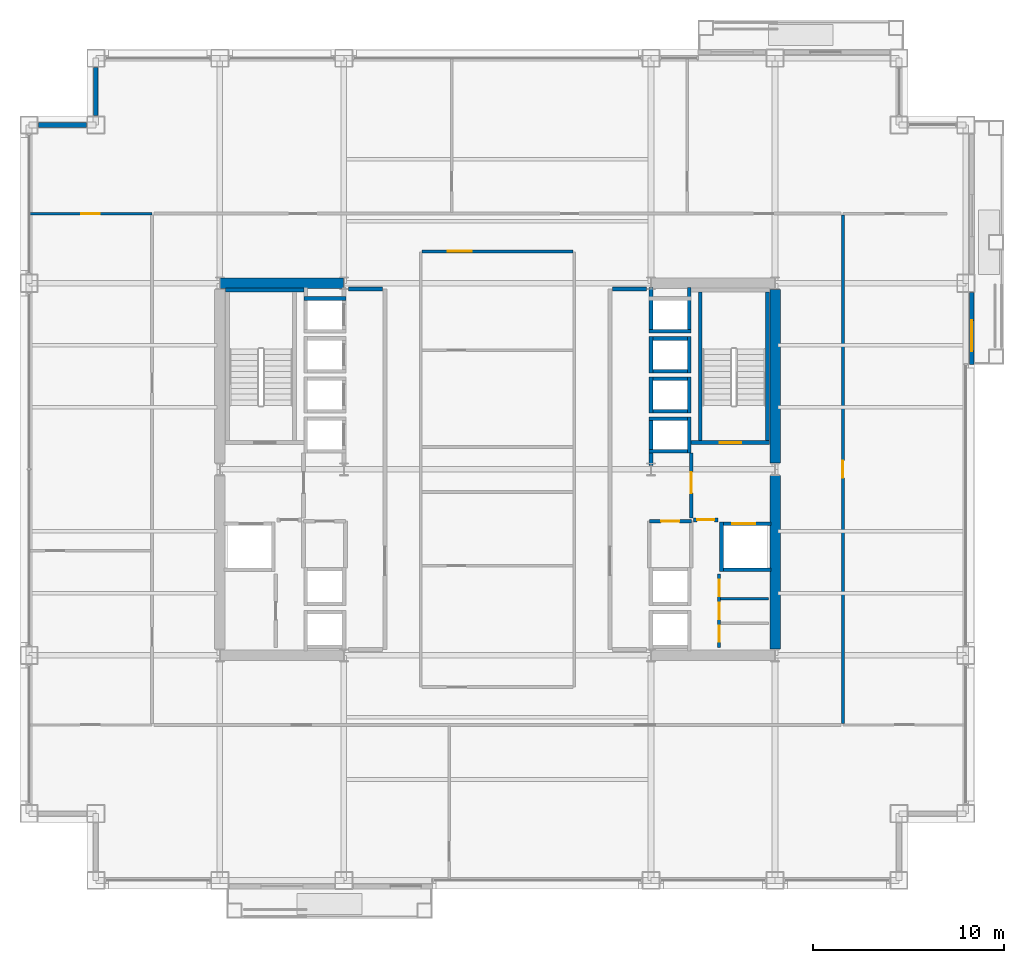
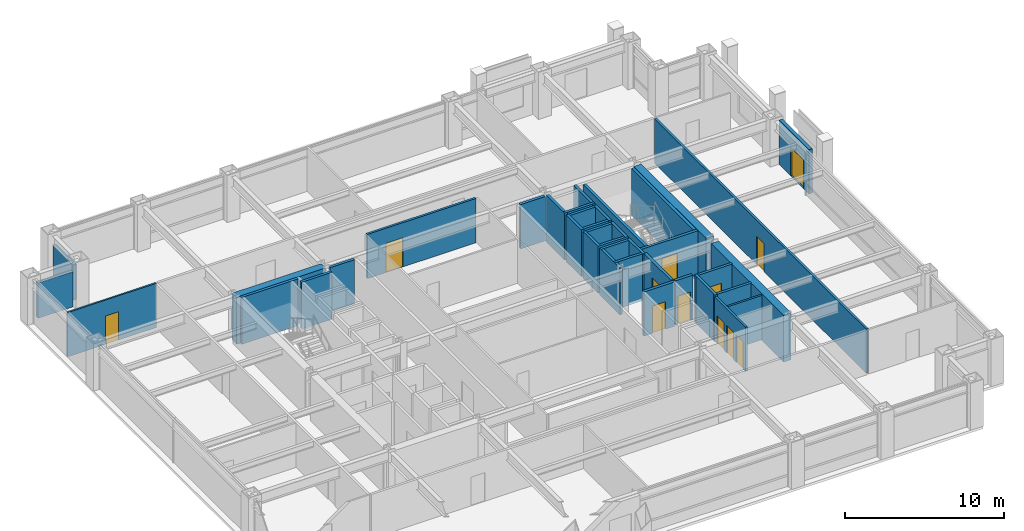
# One storey, part 27 of 31: 39 walls, 12 doors, 12 openings.
"""IFC4 building model written with IfcOpenShell, lengths in metres."""

from ifc_helpers import new_model, si_unit, direction, frame, frame_2d, origin, place, context, subcontext, project, spatial, rectangle, extrude, material, layer, layer_set, type_object, element, fill, save


model = new_model("IFC4")

# Units and contexts
model_context = context("Model", 3, precision=1e-05, world=origin(), true_north=direction((0.0, 1.0)))
body_context = subcontext(model_context, "Body", "Model", "MODEL_VIEW")
ifc_project = project(units=[si_unit("LENGTHUNIT", "METRE"), si_unit("AREAUNIT", "SQUARE_METRE"), si_unit("VOLUMEUNIT", "CUBIC_METRE"), si_unit("PLANEANGLEUNIT", "RADIAN"), si_unit("MASSUNIT", "GRAM", prefix="KILO")], contexts=[model_context])

# Site, building, storey
site_placement = place(None, origin())
site = spatial("IfcSite", under=ifc_project, at=site_placement, CompositionType="ELEMENT")
building_placement = place(site_placement, origin())
building = spatial("IfcBuilding", under=site, at=building_placement, Name="Brelmoor Portico Tower", CompositionType="ELEMENT")
storey_placement = place(building_placement, frame((0.0, 0.0, 38.39990234375)))
storey = spatial("IfcBuildingStorey", under=building, at=storey_placement, Name="L09", CompositionType="ELEMENT", Elevation=38.39990234375)

# Walls
ifc_material_1 = material(Name="Concrete C60", Category="concrete")
ifc_layer_1 = layer(ifc_material_1, 0.550048828125)
ifc_layer_set_1 = layer_set([ifc_layer_1], Name="Concrete C60")
wall_type_1 = type_object("IfcWallType", Name="WL-CORE-550", PredefinedType="SHEAR", material=ifc_layer_set_1)
wall_1_placement = place(storey_placement, frame((-14.530029296875, 9.75, -0.199951171875), z_axis=(0.0, 0.0, 1.0), x_axis=(1.0, 0.0, 0.0)))
element("IfcWall", 1, at=wall_1_placement, inside=storey, type_object=wall_type_1, Name="L09 WC North Shear Wall", PredefinedType="SHEAR", context=body_context, shape_type="SweptSolid", body=[
    extrude(rectangle(XDim=6.4599609375, YDim=0.550048828125, at=frame_2d((3.22998046875, 0.0))), origin(), (0.0, 0.0, 1.0), 3.60009765625),
])
for number, where, z_axis, x_axis, name in (
    (2, (14.550048828125, -9.425048828125, -0.199951171875), (0.0, 0.0, 1.0), (0.0, 1.0, 0.0), "L09 EC Outer South Shear Wall"),
    (3, (14.550048828125, 0.324951171875, -0.199951171875), (0.0, 0.0, 1.0), (0.0, 1.0, 0.0), "L09 EC Outer North Shear Wall"),
):
    element("IfcWall", number, at=place(storey_placement, frame(where, z_axis=z_axis, x_axis=x_axis)), inside=storey, type_object=wall_type_1, Name=name, PredefinedType="SHEAR", context=body_context, shape_type="SweptSolid", body=[
        extrude(rectangle(XDim=9.10009765625, YDim=0.550048828125, at=frame_2d((4.550048828125, 0.0))), origin(), (0.0, 0.0, 1.0), 3.60009765625),
    ])

# Wall, opening, door
ifc_material_2 = material(Name="Precast Concrete C40 Insulated Facade Wall", Category="concrete")
ifc_layer_2 = layer(ifc_material_2, 0.25)
ifc_layer_set_2 = layer_set([ifc_layer_2], Name="Precast Concrete C40 Insulated Facade Wall")
wall_type_2 = type_object("IfcWallType", Name="WL-EXT-250", PredefinedType="STANDARD", material=ifc_layer_set_2)
wall_2_placement = place(storey_placement, frame((24.860107421875, 5.5, 0.0), z_axis=(0.0, 0.0, 1.0), x_axis=(0.0, 1.0, 0.0)))
wall_2 = element("IfcWall", 4, at=wall_2_placement, inside=storey, type_object=wall_type_2, Name="L09 Loggia Threshold Wall E-1", PredefinedType="STANDARD", context=body_context, shape_type="SweptSolid", body=[
    extrude(rectangle(XDim=3.7548828125, YDim=0.25, at=frame_2d((1.87744140625, 0.0))), origin(), (0.0, 0.0, 1.0), 3.400146484375),
])
opening_1_placement = place(wall_2_placement, frame((0.699951171875, 0.0, 0.0)))
opening_1 = element("IfcOpeningElement", 5, at=opening_1_placement, cuts=wall_2, Name="Opening D-TB1", PredefinedType="OPENING", context=body_context, shape_type="SweptSolid", body=[
    extrude(rectangle(XDim=1.60009765625, YDim=2.199951171875, at=frame_2d((0.800048828125, 1.10009765625))), frame((0.0, 0.135009765625, 0.0), z_axis=(0.0, -1.0, 0.0), x_axis=(1.0, 0.0, 0.0)), (0.0, 0.0, 1.0), 0.27001953125),
])
ifc_material_3 = material(Name="Double-Leaf Thermally Broken Terrace Door", Category="aluminium")
door_type_1 = type_object("IfcDoorType", Name="DR-BALCONY-1600", OperationType="NOTDEFINED", PredefinedType="DOOR", material=ifc_material_3)
door_1_placement = place(opening_1_placement, origin())
door_1 = element("IfcDoor", 6, at=door_1_placement, inside=storey, type_object=door_type_1, Name="D-0421 L09 Tree Balcony Double Door E", OperationType="DOUBLE_DOOR_SINGLE_SWING", OverallHeight=2.199951171875, OverallWidth=1.60009765625, PredefinedType="DOOR", context=body_context, shape_type="SweptSolid", body=[
    extrude(rectangle(XDim=1.60009765625, YDim=2.199951171875, at=frame_2d((0.800048828125, 1.10009765625))), frame((0.0, 0.02490234375, 0.0), z_axis=(0.0, -1.0, 0.0), x_axis=(1.0, 0.0, 0.0)), (0.0, 0.0, 1.0), 0.050048828125),
])
fill(opening_1, door_1)

# Walls
for number, where, z_axis, x_axis, name in (
    (7, (-24.06494140625, 18.050048828125, 0.0), (0.0, 0.0, 1.0), (1.0, 0.0, 0.0), "L09 Corner Notch Facade Wall NNWH1"),
    (8, (-21.050048828125, 18.534912109375, 0.0), (0.0, 0.0, 1.0), (0.0, 1.0, 0.0), "L09 Corner Notch Facade Wall NNWV1"),
):
    element("IfcWall", number, at=place(storey_placement, frame(where, z_axis=z_axis, x_axis=x_axis)), inside=storey, type_object=wall_type_2, Name=name, PredefinedType="STANDARD", context=body_context, shape_type="SweptSolid", body=[
        extrude(rectangle(XDim=2.530029296875, YDim=0.25, at=frame_2d((1.26513671875, 0.0))), origin(), (0.0, 0.0, 1.0), 2.7001953125),
    ])

# Wall, opening, door
ifc_material_4 = material(Name="Lightweight Gypsum Office Partition", Category="gypsum")
ifc_layer_3 = layer(ifc_material_4, 0.1201171875)
ifc_layer_set_3 = layer_set([ifc_layer_3], Name="Lightweight Gypsum Office Partition")
wall_type_3 = type_object("IfcWallType", Name="WL-PART-120", PredefinedType="PARTITIONING", material=ifc_layer_set_3)
wall_3_placement = place(storey_placement, frame((-24.56005859375, 13.39990234375, 0.0), z_axis=(0.0, 0.0, 1.0), x_axis=(1.0, 0.0, 0.0)))
wall_3 = element("IfcWall", 9, at=wall_3_placement, inside=storey, type_object=wall_type_3, Name="L09 North Outer Closure WL", PredefinedType="PARTITIONING", context=body_context, shape_type="SweptSolid", body=[
    extrude(rectangle(XDim=6.4599609375, YDim=0.1201171875, at=frame_2d((3.22998046875, 0.0))), origin(), (0.0, 0.0, 1.0), 3.400146484375),
])
opening_2_placement = place(wall_3_placement, frame((2.75, 0.0, 0.0)))
opening_2 = element("IfcOpeningElement", 10, at=opening_2_placement, cuts=wall_3, Name="Opening D-IN2", PredefinedType="OPENING", context=body_context, shape_type="SweptSolid", body=[
    extrude(rectangle(XDim=0.9599609375, YDim=2.179931640625, at=frame_2d((0.47998046875, 1.08984375))), frame((0.0, 0.070068359375, 0.0), z_axis=(0.0, -1.0, 0.0), x_axis=(1.0, 0.0, 0.0)), (0.0, 0.0, 1.0), 0.14013671875),
])
ifc_material_5 = material(Name="Lacquered Timber Suite Door", Category="wood")
door_type_2 = type_object("IfcDoorType", Name="DR-INT-950", OperationType="NOTDEFINED", PredefinedType="DOOR", material=ifc_material_5)
door_2_placement = place(opening_2_placement, origin())
door_2 = element("IfcDoor", 11, at=door_2_placement, inside=storey, type_object=door_type_2, Name="D-0413 L09 WL North Corner Suite Door", OperationType="SINGLE_SWING_RIGHT", OverallHeight=2.179931640625, OverallWidth=0.9599609375, PredefinedType="DOOR", context=body_context, shape_type="SweptSolid", body=[
    extrude(rectangle(XDim=0.9599609375, YDim=2.179931640625, at=frame_2d((0.47998046875, 1.08984375))), frame((0.0, 0.02490234375, 0.0), z_axis=(0.0, -1.0, 0.0), x_axis=(1.0, 0.0, 0.0)), (0.0, 0.0, 1.0), 0.050048828125),
])
fill(opening_2, door_2)

# Wall
ifc_material_6 = material(Name="Insulated Stud Suite Partition", Category="gypsum")
ifc_layer_4 = layer(ifc_material_6, 0.139892578125)
ifc_layer_set_4 = layer_set([ifc_layer_4], Name="Insulated Stud Suite Partition")
wall_type_4 = type_object("IfcWallType", Name="WL-PART-140", PredefinedType="PARTITIONING", material=ifc_layer_set_4)
wall_4_placement = place(storey_placement, frame((11.699951171875, -6.783203125, 0.0), z_axis=(0.0, 0.0, 1.0), x_axis=(1.0, 0.0, 0.0)))
element("IfcWall", 12, at=wall_4_placement, inside=storey, type_object=wall_type_4, Name="L09 E Core WC Divider 2", PredefinedType="PARTITIONING", context=body_context, shape_type="SweptSolid", body=[
    extrude(rectangle(XDim=2.5, YDim=0.139892578125, at=frame_2d((1.25, 0.0))), origin(), (0.0, 0.0, 1.0), 3.400146484375),
])

# Wall, openings, doors
ifc_material_7 = material(Name="Twin-Frame Acoustic Partition", Category="gypsum")
ifc_layer_5 = layer(ifc_material_7, 0.159912109375)
ifc_layer_set_5 = layer_set([ifc_layer_5], Name="Twin-Frame Acoustic Partition")
wall_type_5 = type_object("IfcWallType", Name="WL-PART-160", PredefinedType="PARTITIONING", material=ifc_layer_set_5)
wall_5_placement = place(storey_placement, frame((11.6201171875, -9.35009765625, 0.0), z_axis=(0.0, 0.0, 1.0), x_axis=(0.0, 1.0, 0.0)))
wall_5 = element("IfcWall", 13, at=wall_5_placement, inside=storey, type_object=wall_type_5, Name="L09 E Core Service Front Wall", PredefinedType="PARTITIONING", context=body_context, shape_type="SweptSolid", body=[
    extrude(rectangle(XDim=3.85009765625, YDim=0.159912109375, at=frame_2d((1.925048828125, 0.0))), origin(), (0.0, 0.0, 1.0), 3.400146484375),
])
opening_3_placement = place(wall_5_placement, frame((0.300048828125, 0.0, 0.0)))
opening_3 = element("IfcOpeningElement", 14, at=opening_3_placement, cuts=wall_5, Name="Opening D-WC1", PredefinedType="OPENING", context=body_context, shape_type="SweptSolid", body=[
    extrude(rectangle(XDim=0.85009765625, YDim=2.1201171875, at=frame_2d((0.425048828125, 1.06005859375))), frame((0.0, 0.08984375, 0.0), z_axis=(0.0, -1.0, 0.0), x_axis=(1.0, 0.0, 0.0)), (0.0, 0.0, 1.0), 0.179931640625),
])
opening_4_placement = place(wall_5_placement, frame((1.5, 0.0, 0.0)))
opening_4 = element("IfcOpeningElement", 15, at=opening_4_placement, cuts=wall_5, Name="Opening D-WC1", PredefinedType="OPENING", context=body_context, shape_type="SweptSolid", body=[
    extrude(rectangle(XDim=0.85009765625, YDim=2.1201171875, at=frame_2d((0.425048828125, 1.06005859375))), frame((0.0, 0.08984375, 0.0), z_axis=(0.0, -1.0, 0.0), x_axis=(1.0, 0.0, 0.0)), (0.0, 0.0, 1.0), 0.179931640625),
])
opening_5_placement = place(wall_5_placement, frame((2.699951171875, 0.0, 0.0)))
opening_5 = element("IfcOpeningElement", 16, at=opening_5_placement, cuts=wall_5, Name="Opening D-WC1", PredefinedType="OPENING", context=body_context, shape_type="SweptSolid", body=[
    extrude(rectangle(XDim=0.85009765625, YDim=2.1201171875, at=frame_2d((0.425048828125, 1.06005859375))), frame((0.0, 0.08984375, 0.0), z_axis=(0.0, -1.0, 0.0), x_axis=(1.0, 0.0, 0.0)), (0.0, 0.0, 1.0), 0.179931640625),
])
ifc_material_8 = material(Name="Moisture-Resistant Laminate WC Door", Category="timber")
door_type_3 = type_object("IfcDoorType", Name="DR-WC-850", OperationType="NOTDEFINED", PredefinedType="DOOR", material=ifc_material_8)
door_3_placement = place(opening_3_placement, origin())
door_3 = element("IfcDoor", 17, at=door_3_placement, inside=storey, type_object=door_type_3, Name="D-0395 L09 E Male WC Door", OperationType="SINGLE_SWING_LEFT", OverallHeight=2.1201171875, OverallWidth=0.85009765625, PredefinedType="DOOR", context=body_context, shape_type="SweptSolid", body=[
    extrude(rectangle(XDim=0.85009765625, YDim=2.1201171875, at=frame_2d((0.425048828125, 1.06005859375))), frame((0.0, 0.02490234375, 0.0), z_axis=(0.0, -1.0, 0.0), x_axis=(1.0, 0.0, 0.0)), (0.0, 0.0, 1.0), 0.050048828125),
])
fill(opening_3, door_3)
door_4_placement = place(opening_4_placement, origin())
door_4 = element("IfcDoor", 18, at=door_4_placement, inside=storey, type_object=door_type_3, Name="D-0396 L09 E Female WC Door", OperationType="SINGLE_SWING_RIGHT", OverallHeight=2.1201171875, OverallWidth=0.85009765625, PredefinedType="DOOR", context=body_context, shape_type="SweptSolid", body=[
    extrude(rectangle(XDim=0.85009765625, YDim=2.1201171875, at=frame_2d((0.425048828125, 1.06005859375))), frame((0.0, 0.02490234375, 0.0), z_axis=(0.0, -1.0, 0.0), x_axis=(1.0, 0.0, 0.0)), (0.0, 0.0, 1.0), 0.050048828125),
])
fill(opening_4, door_4)
door_5_placement = place(opening_5_placement, origin())
door_5 = element("IfcDoor", 19, at=door_5_placement, inside=storey, type_object=door_type_3, Name="D-0397 L09 E Janitor Store Door", OperationType="SINGLE_SWING_LEFT", OverallHeight=2.1201171875, OverallWidth=0.85009765625, PredefinedType="DOOR", context=body_context, shape_type="SweptSolid", body=[
    extrude(rectangle(XDim=0.85009765625, YDim=2.1201171875, at=frame_2d((0.425048828125, 1.06005859375))), frame((0.0, 0.02490234375, 0.0), z_axis=(0.0, -1.0, 0.0), x_axis=(1.0, 0.0, 0.0)), (0.0, 0.0, 1.0), 0.050048828125),
])
fill(opening_5, door_5)

# Wall, opening, door
wall_6_placement = place(storey_placement, frame((-3.949951171875, 11.419921875, 0.0), z_axis=(0.0, 0.0, 1.0), x_axis=(1.0, 0.0, 0.0)))
wall_6 = element("IfcWall", 20, at=wall_6_placement, inside=storey, type_object=wall_type_5, Name="L09 Central Meeting Corridor Wall", PredefinedType="PARTITIONING", context=body_context, shape_type="SweptSolid", body=[
    extrude(rectangle(XDim=7.89990234375, YDim=0.159912109375, at=frame_2d((3.949951171875, 0.0))), origin(), (0.0, 0.0, 1.0), 3.400146484375),
])
opening_6_placement = place(wall_6_placement, frame((1.35009765625, 0.0, 0.0)))
opening_6 = element("IfcOpeningElement", 21, at=opening_6_placement, cuts=wall_6, Name="Opening D-SU1", PredefinedType="OPENING", context=body_context, shape_type="SweptSolid", body=[
    extrude(rectangle(XDim=1.239990234375, YDim=2.239990234375, at=frame_2d((0.6201171875, 1.1201171875))), frame((0.0, 0.08984375, 0.0), z_axis=(0.0, -1.0, 0.0), x_axis=(1.0, 0.0, 0.0)), (0.0, 0.0, 1.0), 0.179931640625),
])
ifc_material_9 = material(Name="Glazed Timber Executive Suite Door", Category="wood")
door_type_4 = type_object("IfcDoorType", Name="DR-SUITE-1200", OperationType="NOTDEFINED", PredefinedType="DOOR", material=ifc_material_9)
door_6_placement = place(opening_6_placement, origin())
door_6 = element("IfcDoor", 22, at=door_6_placement, inside=storey, type_object=door_type_4, Name="D-0391 L09 Client Meeting Room Door", OperationType="SINGLE_SWING_RIGHT", OverallHeight=2.239990234375, OverallWidth=1.239990234375, PredefinedType="DOOR", context=body_context, shape_type="SweptSolid", body=[
    extrude(rectangle(XDim=1.239990234375, YDim=2.239990234375, at=frame_2d((0.6201171875, 1.1201171875))), frame((0.0, 0.02490234375, 0.0), z_axis=(0.0, -1.0, 0.0), x_axis=(1.0, 0.0, 0.0)), (0.0, 0.0, 1.0), 0.050048828125),
])
fill(opening_6, door_6)

wall_7_placement = place(storey_placement, frame((18.10009765625, -13.320068359375, 0.0), z_axis=(0.0, 0.0, 1.0), x_axis=(0.0, 1.0, 0.0)))
wall_7 = element("IfcWall", 23, at=wall_7_placement, inside=storey, type_object=wall_type_5, Name="L09 E Wing Corridor Wall", PredefinedType="PARTITIONING", context=body_context, shape_type="SweptSolid", body=[
    extrude(rectangle(XDim=26.64013671875, YDim=0.159912109375, at=frame_2d((13.320068359375, 0.0))), origin(), (0.0, 0.0, 1.0), 3.400146484375),
])
opening_7_placement = place(wall_7_placement, frame((12.8701171875, 0.0, 0.0)))
opening_7 = element("IfcOpeningElement", 24, at=opening_7_placement, cuts=wall_7, Name="Opening D-IN1", PredefinedType="OPENING", context=body_context, shape_type="SweptSolid", body=[
    extrude(rectangle(XDim=0.89990234375, YDim=2.14990234375, at=frame_2d((0.449951171875, 1.074951171875))), frame((0.0, 0.08984375, 0.0), z_axis=(0.0, -1.0, 0.0), x_axis=(1.0, 0.0, 0.0)), (0.0, 0.0, 1.0), 0.179931640625),
])
door_type_5 = type_object("IfcDoorType", Name="DR-INT-900", OperationType="NOTDEFINED", PredefinedType="DOOR", material=ifc_material_5)
door_7_placement = place(opening_7_placement, origin())
door_7 = element("IfcDoor", 25, at=door_7_placement, inside=storey, type_object=door_type_5, Name="D-0424 L09 E Project Mail Room 1 Door", OperationType="SINGLE_SWING_RIGHT", OverallHeight=2.14990234375, OverallWidth=0.89990234375, PredefinedType="DOOR", context=body_context, shape_type="SweptSolid", body=[
    extrude(rectangle(XDim=0.89990234375, YDim=2.14990234375, at=frame_2d((0.449951171875, 1.074951171875))), frame((0.0, 0.02490234375, 0.0), z_axis=(0.0, -1.0, 0.0), x_axis=(1.0, 0.0, 0.0)), (0.0, 0.0, 1.0), 0.050048828125),
])
fill(opening_7, door_7)

# Walls
ifc_material_10 = material(Name="Double-Stud Gypsum Fire Partition", Category="gypsum")
ifc_layer_6 = layer(ifc_material_10, 0.199951171875)
ifc_layer_set_6 = layer_set([ifc_layer_6], Name="Double-Stud Gypsum Fire Partition")
wall_type_6 = type_object("IfcWallType", Name="WL-PART-200", PredefinedType="PARTITIONING", material=ifc_layer_set_6)
for number, where, z_axis, x_axis, name in (
    (26, (-6.02001953125, 9.449951171875, 0.0), (0.0, 0.0, 1.0), (-1.0, 0.0, 0.0), "L09 W Lift Lobby North End Wall"),
    (27, (6.02001953125, 9.449951171875, 0.0), (0.0, 0.0, 1.0), (1.0, 0.0, 0.0), "L09 E Lift Lobby North End Wall"),
):
    element("IfcWall", number, at=place(storey_placement, frame(where, z_axis=z_axis, x_axis=x_axis)), inside=storey, type_object=wall_type_6, Name=name, PredefinedType="PARTITIONING", context=body_context, shape_type="SweptSolid", body=[
        extrude(rectangle(XDim=1.800048828125, YDim=0.199951171875, at=frame_2d((0.89990234375, 0.0))), origin(), (0.0, 0.0, 1.0), 3.400146484375),
    ])

# Wall, opening, door
wall_8_placement = place(storey_placement, frame((10.159912109375, -2.550048828125, 0.0), z_axis=(0.0, 0.0, 1.0), x_axis=(0.0, 1.0, 0.0)))
wall_8 = element("IfcWall", 28, at=wall_8_placement, inside=storey, type_object=wall_type_6, Name="L09 E Firefighting Lobby Wall", PredefinedType="PARTITIONING", context=body_context, shape_type="SweptSolid", body=[
    extrude(rectangle(XDim=3.400146484375, YDim=0.199951171875, at=frame_2d((1.7001953125, 0.0))), origin(), (0.0, 0.0, 1.0), 3.400146484375),
])
opening_8_placement = place(wall_8_placement, frame((1.300048828125, 0.0, 0.0)))
opening_8 = element("IfcOpeningElement", 29, at=opening_8_placement, cuts=wall_8, Name="Opening D-FR1", PredefinedType="OPENING", context=body_context, shape_type="SweptSolid", body=[
    extrude(rectangle(XDim=1.10009765625, YDim=2.14990234375, at=frame_2d((0.550048828125, 1.074951171875))), frame((0.0, 0.10986328125, 0.0), z_axis=(0.0, -1.0, 0.0), x_axis=(1.0, 0.0, 0.0)), (0.0, 0.0, 1.0), 0.219970703125),
])
ifc_material_11 = material(Name="Painted Galvanised Steel Fire Door", Category="steel")
door_type_6 = type_object("IfcDoorType", Name="DR-FIRE-1100", OperationType="NOTDEFINED", PredefinedType="DOOR", material=ifc_material_11)
door_8_placement = place(opening_8_placement, origin())
door_8 = element("IfcDoor", 30, at=door_8_placement, inside=storey, type_object=door_type_6, Name="D-0403 L09 E Firefighting Lobby Door", OperationType="SINGLE_SWING_RIGHT", OverallHeight=2.14990234375, OverallWidth=1.10009765625, PredefinedType="DOOR", context=body_context, shape_type="SweptSolid", body=[
    extrude(rectangle(XDim=1.10009765625, YDim=2.14990234375, at=frame_2d((0.550048828125, 1.074951171875))), frame((0.0, 0.02490234375, 0.0), z_axis=(0.0, -1.0, 0.0), x_axis=(1.0, 0.0, 0.0)), (0.0, 0.0, 1.0), 0.050048828125),
])
fill(opening_8, door_8)

wall_9_placement = place(storey_placement, frame((10.280029296875, -2.64990234375, 0.0), z_axis=(0.0, 0.0, 1.0), x_axis=(1.0, 0.0, 0.0)))
wall_9 = element("IfcWall", 31, at=wall_9_placement, inside=storey, type_object=wall_type_6, Name="L09 E Firefighting Lobby South Wall", PredefinedType="PARTITIONING", context=body_context, shape_type="SweptSolid", body=[
    extrude(rectangle(XDim=1.27001953125, YDim=0.199951171875, at=frame_2d((0.635009765625, 0.0))), origin(), (0.0, 0.0, 1.0), 3.400146484375),
])
opening_9_placement = place(wall_9_placement, frame((0.18505859375, 0.0, 0.0)))
opening_9 = element("IfcOpeningElement", 32, at=opening_9_placement, cuts=wall_9, Name="Opening D-IN1", PredefinedType="OPENING", context=body_context, shape_type="SweptSolid", body=[
    extrude(rectangle(XDim=0.89990234375, YDim=2.14990234375, at=frame_2d((0.449951171875, 1.074951171875))), frame((0.0, 0.10986328125, 0.0), z_axis=(0.0, -1.0, 0.0), x_axis=(1.0, 0.0, 0.0)), (0.0, 0.0, 1.0), 0.219970703125),
])
door_9_placement = place(opening_9_placement, origin())
door_9 = element("IfcDoor", 33, at=door_9_placement, inside=storey, type_object=door_type_5, Name="D-0398 L09 E Core Service Vestibule Door", OperationType="SINGLE_SWING_LEFT", OverallHeight=2.14990234375, OverallWidth=0.89990234375, PredefinedType="DOOR", context=body_context, shape_type="SweptSolid", body=[
    extrude(rectangle(XDim=0.89990234375, YDim=2.14990234375, at=frame_2d((0.449951171875, 1.074951171875))), frame((0.0, 0.02490234375, 0.0), z_axis=(0.0, -1.0, 0.0), x_axis=(1.0, 0.0, 0.0)), (0.0, 0.0, 1.0), 0.050048828125),
])
fill(opening_9, door_9)

wall_10_placement = place(storey_placement, frame((7.9599609375, -2.719970703125, 0.0), z_axis=(0.0, 0.0, 1.0), x_axis=(1.0, 0.0, 0.0)))
wall_10 = element("IfcWall", 34, at=wall_10_placement, inside=storey, type_object=wall_type_6, Name="L09 E Electrical Switchgear Closet Wall", PredefinedType="PARTITIONING", context=body_context, shape_type="SweptSolid", body=[
    extrude(rectangle(XDim=2.199951171875, YDim=0.199951171875, at=frame_2d((1.10009765625, 0.0))), origin(), (0.0, 0.0, 1.0), 3.400146484375),
])
opening_10_placement = place(wall_10_placement, frame((0.6201171875, 0.0, 0.0)))
opening_10 = element("IfcOpeningElement", 35, at=opening_10_placement, cuts=wall_10, Name="Opening D-FR4", PredefinedType="OPENING", context=body_context, shape_type="SweptSolid", body=[
    extrude(rectangle(XDim=0.949951171875, YDim=2.10009765625, at=frame_2d((0.47509765625, 1.050048828125))), frame((0.0, 0.10986328125, 0.0), z_axis=(0.0, -1.0, 0.0), x_axis=(1.0, 0.0, 0.0)), (0.0, 0.0, 1.0), 0.219970703125),
])
ifc_material_12 = material(Name="Painted Galvanised Steel Riser Door", Category="steel")
door_type_7 = type_object("IfcDoorType", Name="DR-FIRE-950", OperationType="NOTDEFINED", PredefinedType="DOOR", material=ifc_material_12)
door_10_placement = place(opening_10_placement, origin())
door_10 = element("IfcDoor", 36, at=door_10_placement, inside=storey, type_object=door_type_7, Name="D-0401 L09 E Electrical Switchgear Closet Door", OperationType="SINGLE_SWING_RIGHT", OverallHeight=2.10009765625, OverallWidth=0.949951171875, PredefinedType="DOOR", context=body_context, shape_type="SweptSolid", body=[
    extrude(rectangle(XDim=0.949951171875, YDim=2.10009765625, at=frame_2d((0.47509765625, 1.050048828125))), frame((0.0, 0.02490234375, 0.0), z_axis=(0.0, -1.0, 0.0), x_axis=(1.0, 0.0, 0.0)), (0.0, 0.0, 1.0), 0.050048828125),
])
fill(opening_10, door_10)

# Walls
ifc_material_13 = material(Name="Precast Concrete C40", Category="concrete")
ifc_layer_7 = layer(ifc_material_13, 0.18994140625)
ifc_layer_set_7 = layer_set([ifc_layer_7], Name="Precast Concrete C40")
wall_type_7 = type_object("IfcWallType", Name="WL-SHAFT-180", PredefinedType="SOLIDWALL", material=ifc_layer_set_7)
wall_11_placement = place(storey_placement, frame((-10.14990234375, 8.955078125, -0.199951171875), z_axis=(0.0, 0.0, 1.0), x_axis=(1.0, 0.0, 0.0)))
element("IfcWall", 37, at=wall_11_placement, inside=storey, type_object=wall_type_7, Name="L09 Lift PL4 Hoistway North Wall", PredefinedType="SOLIDWALL", context=body_context, shape_type="SweptSolid", body=[
    extrude(rectangle(XDim=2.199951171875, YDim=0.18994140625, at=frame_2d((1.10009765625, 0.0))), origin(), (0.0, 0.0, 1.0), 3.60009765625),
])
wall_12_placement = place(storey_placement, frame((8.044921875, 0.2099609375, -0.199951171875), z_axis=(0.0, 0.0, 1.0), x_axis=(0.0, 1.0, 0.0)))
element("IfcWall", 38, at=wall_12_placement, inside=storey, type_object=wall_type_7, Name="L09 Lift PM1 Hoistway Front Wall", PredefinedType="SOLIDWALL", context=body_context, shape_type="SweptSolid", body=[
    extrude(rectangle(XDim=2.5400390625, YDim=0.18994140625, at=frame_2d((1.27001953125, 0.0))), origin(), (0.0, 0.0, 1.0), 3.60009765625),
])
wall_13_placement = place(storey_placement, frame((10.054931640625, 0.85009765625, -0.199951171875), z_axis=(0.0, 0.0, 1.0), x_axis=(0.0, 1.0, 0.0)))
element("IfcWall", 39, at=wall_13_placement, inside=storey, type_object=wall_type_7, Name="L09 Lift PM1 Hoistway Back Wall", PredefinedType="SOLIDWALL", context=body_context, shape_type="SweptSolid", body=[
    extrude(rectangle(XDim=1.89990234375, YDim=0.18994140625, at=frame_2d((0.949951171875, 0.0))), origin(), (0.0, 0.0, 1.0), 3.60009765625),
])
for number, where, z_axis, x_axis, name in (
    (40, (7.949951171875, 2.655029296875, -0.199951171875), (0.0, 0.0, 1.0), (1.0, 0.0, 0.0), "L09 Lift PM1 Hoistway North Wall"),
    (41, (7.949951171875, 0.945068359375, -0.199951171875), (0.0, 0.0, 1.0), (1.0, 0.0, 0.0), "L09 Lift PM1 Hoistway South Wall"),
):
    element("IfcWall", number, at=place(storey_placement, frame(where, z_axis=z_axis, x_axis=x_axis)), inside=storey, type_object=wall_type_7, Name=name, PredefinedType="SOLIDWALL", context=body_context, shape_type="SweptSolid", body=[
        extrude(rectangle(XDim=2.199951171875, YDim=0.18994140625, at=frame_2d((1.10009765625, 0.0))), origin(), (0.0, 0.0, 1.0), 3.60009765625),
    ])
for number, where, z_axis, x_axis, name in (
    (42, (8.044921875, 2.949951171875, -0.199951171875), (0.0, 0.0, 1.0), (0.0, 1.0, 0.0), "L09 Lift PM2 Hoistway Front Wall"),
    (43, (10.054931640625, 2.949951171875, -0.199951171875), (0.0, 0.0, 1.0), (0.0, 1.0, 0.0), "L09 Lift PM2 Hoistway Back Wall"),
):
    element("IfcWall", number, at=place(storey_placement, frame(where, z_axis=z_axis, x_axis=x_axis)), inside=storey, type_object=wall_type_7, Name=name, PredefinedType="SOLIDWALL", context=body_context, shape_type="SweptSolid", body=[
        extrude(rectangle(XDim=1.900146484375, YDim=0.18994140625, at=frame_2d((0.9501953125, 0.0))), origin(), (0.0, 0.0, 1.0), 3.60009765625),
    ])
for number, where, z_axis, x_axis, name in (
    (44, (7.949951171875, 4.7548828125, -0.199951171875), (0.0, 0.0, 1.0), (1.0, 0.0, 0.0), "L09 Lift PM2 Hoistway North Wall"),
    (45, (7.949951171875, 3.044921875, -0.199951171875), (0.0, 0.0, 1.0), (1.0, 0.0, 0.0), "L09 Lift PM2 Hoistway South Wall"),
):
    element("IfcWall", number, at=place(storey_placement, frame(where, z_axis=z_axis, x_axis=x_axis)), inside=storey, type_object=wall_type_7, Name=name, PredefinedType="SOLIDWALL", context=body_context, shape_type="SweptSolid", body=[
        extrude(rectangle(XDim=2.199951171875, YDim=0.18994140625, at=frame_2d((1.10009765625, 0.0))), origin(), (0.0, 0.0, 1.0), 3.60009765625),
    ])
for number, where, z_axis, x_axis, name in (
    (46, (8.044921875, 5.050048828125, -0.199951171875), (0.0, 0.0, 1.0), (0.0, 1.0, 0.0), "L09 Lift PM3 Hoistway Front Wall"),
    (47, (10.054931640625, 5.050048828125, -0.199951171875), (0.0, 0.0, 1.0), (0.0, 1.0, 0.0), "L09 Lift PM3 Hoistway Back Wall"),
):
    element("IfcWall", number, at=place(storey_placement, frame(where, z_axis=z_axis, x_axis=x_axis)), inside=storey, type_object=wall_type_7, Name=name, PredefinedType="SOLIDWALL", context=body_context, shape_type="SweptSolid", body=[
        extrude(rectangle(XDim=1.89990234375, YDim=0.18994140625, at=frame_2d((0.949951171875, 0.0))), origin(), (0.0, 0.0, 1.0), 3.60009765625),
    ])
for number, where, z_axis, x_axis, name in (
    (48, (7.949951171875, 6.85498046875, -0.199951171875), (0.0, 0.0, 1.0), (1.0, 0.0, 0.0), "L09 Lift PM3 Hoistway North Wall"),
    (49, (7.949951171875, 5.14501953125, -0.199951171875), (0.0, 0.0, 1.0), (1.0, 0.0, 0.0), "L09 Lift PM3 Hoistway South Wall"),
):
    element("IfcWall", number, at=place(storey_placement, frame(where, z_axis=z_axis, x_axis=x_axis)), inside=storey, type_object=wall_type_7, Name=name, PredefinedType="SOLIDWALL", context=body_context, shape_type="SweptSolid", body=[
        extrude(rectangle(XDim=2.199951171875, YDim=0.18994140625, at=frame_2d((1.10009765625, 0.0))), origin(), (0.0, 0.0, 1.0), 3.60009765625),
    ])
for number, where, z_axis, x_axis, name in (
    (50, (8.044921875, 7.14990234375, -0.199951171875), (0.0, 0.0, 1.0), (0.0, 1.0, 0.0), "L09 Lift PM4 Hoistway Front Wall"),
    (51, (10.054931640625, 7.14990234375, -0.199951171875), (0.0, 0.0, 1.0), (0.0, 1.0, 0.0), "L09 Lift PM4 Hoistway Back Wall"),
):
    element("IfcWall", number, at=place(storey_placement, frame(where, z_axis=z_axis, x_axis=x_axis)), inside=storey, type_object=wall_type_7, Name=name, PredefinedType="SOLIDWALL", context=body_context, shape_type="SweptSolid", body=[
        extrude(rectangle(XDim=2.3701171875, YDim=0.18994140625, at=frame_2d((1.18505859375, 0.0))), origin(), (0.0, 0.0, 1.0), 3.60009765625),
    ])
wall_14_placement = place(storey_placement, frame((7.949951171875, 7.2451171875, -0.199951171875), z_axis=(0.0, 0.0, 1.0), x_axis=(1.0, 0.0, 0.0)))
element("IfcWall", 52, at=wall_14_placement, inside=storey, type_object=wall_type_7, Name="L09 Lift PM4 Hoistway South Wall", PredefinedType="SOLIDWALL", context=body_context, shape_type="SweptSolid", body=[
    extrude(rectangle(XDim=2.199951171875, YDim=0.18994140625, at=frame_2d((1.10009765625, 0.0))), origin(), (0.0, 0.0, 1.0), 3.60009765625),
])

# Wall, opening, door
wall_15_placement = place(storey_placement, frame((11.64990234375, -2.844970703125, -0.199951171875), z_axis=(0.0, 0.0, 1.0), x_axis=(1.0, 0.0, 0.0)))
wall_15 = element("IfcWall", 53, at=wall_15_placement, inside=storey, type_object=wall_type_7, Name="L09 Lift FF2 Hoistway Front Wall", PredefinedType="SOLIDWALL", context=body_context, shape_type="SweptSolid", body=[
    extrude(rectangle(XDim=2.68017578125, YDim=0.18994140625, at=frame_2d((1.340087890625, 0.0))), origin(), (0.0, 0.0, 1.0), 3.60009765625),
])
opening_11_placement = place(wall_15_placement, frame((0.64990234375, 0.0, 0.199951171875)))
opening_11 = element("IfcOpeningElement", 54, at=opening_11_placement, cuts=wall_15, Name="Opening LD-02", PredefinedType="OPENING", context=body_context, shape_type="SweptSolid", body=[
    extrude(rectangle(XDim=1.199951171875, YDim=2.199951171875, at=frame_2d((0.60009765625, 1.10009765625))), frame((0.0, 0.10498046875, 0.0), z_axis=(0.0, -1.0, 0.0), x_axis=(1.0, 0.0, 0.0)), (0.0, 0.0, 1.0), 0.2099609375),
])
ifc_material_14 = material(Name="Brushed Stainless Steel Firefighting Lift Door", Category="steel")
door_type_8 = type_object("IfcDoorType", Name="DR-LIFT-1200", OperationType="NOTDEFINED", PredefinedType="DOOR", material=ifc_material_14)
door_11_placement = place(opening_11_placement, origin())
door_11 = element("IfcDoor", 55, at=door_11_placement, inside=storey, type_object=door_type_8, Name="D-0429 L09 Lift FF2 Sliding Landing Door", OperationType="SLIDING_TO_LEFT", OverallHeight=2.199951171875, OverallWidth=1.199951171875, PredefinedType="DOOR", context=body_context, shape_type="SweptSolid", body=[
    extrude(rectangle(XDim=1.199951171875, YDim=2.199951171875, at=frame_2d((0.60009765625, 1.10009765625))), frame((0.0, 0.02490234375, 0.0), z_axis=(0.0, -1.0, 0.0), x_axis=(1.0, 0.0, 0.0)), (0.0, 0.0, 1.0), 0.050048828125),
])
fill(opening_11, door_11)

# Walls
wall_16_placement = place(storey_placement, frame((11.64990234375, -5.2548828125, -0.199951171875), z_axis=(0.0, 0.0, 1.0), x_axis=(1.0, 0.0, 0.0)))
element("IfcWall", 56, at=wall_16_placement, inside=storey, type_object=wall_type_7, Name="L09 Firefighting Lift FF2 South Wall", PredefinedType="SOLIDWALL", context=body_context, shape_type="SweptSolid", body=[
    extrude(rectangle(XDim=2.68017578125, YDim=0.18994140625, at=frame_2d((1.340087890625, 0.0))), origin(), (0.0, 0.0, 1.0), 3.60009765625),
])
wall_17_placement = place(storey_placement, frame((11.7451171875, -5.35009765625, -0.199951171875), z_axis=(0.0, 0.0, 1.0), x_axis=(0.0, 1.0, 0.0)))
element("IfcWall", 57, at=wall_17_placement, inside=storey, type_object=wall_type_7, Name="L09 Firefighting Lift FF2 Inner Wall", PredefinedType="SOLIDWALL", context=body_context, shape_type="SweptSolid", body=[
    extrude(rectangle(XDim=2.60009765625, YDim=0.18994140625, at=frame_2d((1.300048828125, 0.0))), origin(), (0.0, 0.0, 1.0), 3.60009765625),
])
ifc_material_15 = material(Name="Concrete C40", Category="concrete")
ifc_layer_8 = layer(ifc_material_15, 0.199951171875)
ifc_layer_set_8 = layer_set([ifc_layer_8], Name="Concrete C40")
wall_type_8 = type_object("IfcWallType", Name="WL-SHAFT-RC200", PredefinedType="SOLIDWALL", material=ifc_layer_set_8)
wall_18_placement = place(storey_placement, frame((14.14990234375, 1.5, -0.199951171875), z_axis=(0.0, 0.0, 1.0), x_axis=(0.0, 1.0, 0.0)))
element("IfcWall", 58, at=wall_18_placement, inside=storey, type_object=wall_type_8, Name="L09 ST-E Structural Stair Wall Outer", PredefinedType="SOLIDWALL", context=body_context, shape_type="SweptSolid", body=[
    extrude(rectangle(XDim=7.800048828125, YDim=0.199951171875, at=frame_2d((3.89990234375, 0.0))), origin(), (0.0, 0.0, 1.0), 3.60009765625),
])
wall_19_placement = place(storey_placement, frame((-14.25, 9.39990234375, -0.199951171875), z_axis=(0.0, 0.0, 1.0), x_axis=(1.0, 0.0, 0.0)))
element("IfcWall", 59, at=wall_19_placement, inside=storey, type_object=wall_type_8, Name="L09 ST-W Structural Stair Wall N", PredefinedType="SOLIDWALL", context=body_context, shape_type="SweptSolid", body=[
    extrude(rectangle(XDim=4.10009765625, YDim=0.199951171875, at=frame_2d((2.050048828125, 0.0))), origin(), (0.0, 0.0, 1.0), 3.60009765625),
])

# Wall, opening, door
wall_20_placement = place(storey_placement, frame((10.14990234375, 1.39990234375, -0.199951171875), z_axis=(0.0, 0.0, 1.0), x_axis=(1.0, 0.0, 0.0)))
wall_20 = element("IfcWall", 60, at=wall_20_placement, inside=storey, type_object=wall_type_8, Name="L09 ST-E Structural Stair Wall S", PredefinedType="SOLIDWALL", context=body_context, shape_type="SweptSolid", body=[
    extrude(rectangle(XDim=4.10009765625, YDim=0.199951171875, at=frame_2d((2.050048828125, 0.0))), origin(), (0.0, 0.0, 1.0), 3.60009765625),
])
opening_12_placement = place(wall_20_placement, frame((1.5, 0.0, 0.199951171875)))
opening_12 = element("IfcOpeningElement", 61, at=opening_12_placement, cuts=wall_20, Name="Opening D-ST1", PredefinedType="OPENING", context=body_context, shape_type="SweptSolid", body=[
    extrude(rectangle(XDim=1.1201171875, YDim=2.179931640625, at=frame_2d((0.56005859375, 1.08984375))), frame((0.0, 0.10986328125, 0.0), z_axis=(0.0, -1.0, 0.0), x_axis=(1.0, 0.0, 0.0)), (0.0, 0.0, 1.0), 0.219970703125),
])
door_type_9 = type_object("IfcDoorType", Name="DR-STAIR-1100", OperationType="NOTDEFINED", PredefinedType="DOOR", material=ifc_material_11)
door_12_placement = place(opening_12_placement, origin())
door_12 = element("IfcDoor", 62, at=door_12_placement, inside=storey, type_object=door_type_9, Name="D-0417 L09 ST-E Protected Exit Stair Door", OperationType="SINGLE_SWING_RIGHT", OverallHeight=2.179931640625, OverallWidth=1.1201171875, PredefinedType="DOOR", context=body_context, shape_type="SweptSolid", body=[
    extrude(rectangle(XDim=1.1201171875, YDim=2.179931640625, at=frame_2d((0.56005859375, 1.08984375))), frame((0.0, 0.02490234375, 0.0), z_axis=(0.0, -1.0, 0.0), x_axis=(1.0, 0.0, 0.0)), (0.0, 0.0, 1.0), 0.050048828125),
])
fill(opening_12, door_12)

# Wall
wall_21_placement = place(storey_placement, frame((10.6298828125, 1.5, -0.199951171875), z_axis=(0.0, 0.0, 1.0), x_axis=(0.0, 1.0, 0.0)))
element("IfcWall", 63, at=wall_21_placement, inside=storey, type_object=wall_type_8, Name="L09 ST-E Structural Stair Wall Inner", PredefinedType="SOLIDWALL", context=body_context, shape_type="SweptSolid", body=[
    extrude(rectangle(XDim=7.800048828125, YDim=0.199951171875, at=frame_2d((3.89990234375, 0.0))), origin(), (0.0, 0.0, 1.0), 3.60009765625),
])

save(model, "model.ifc")
